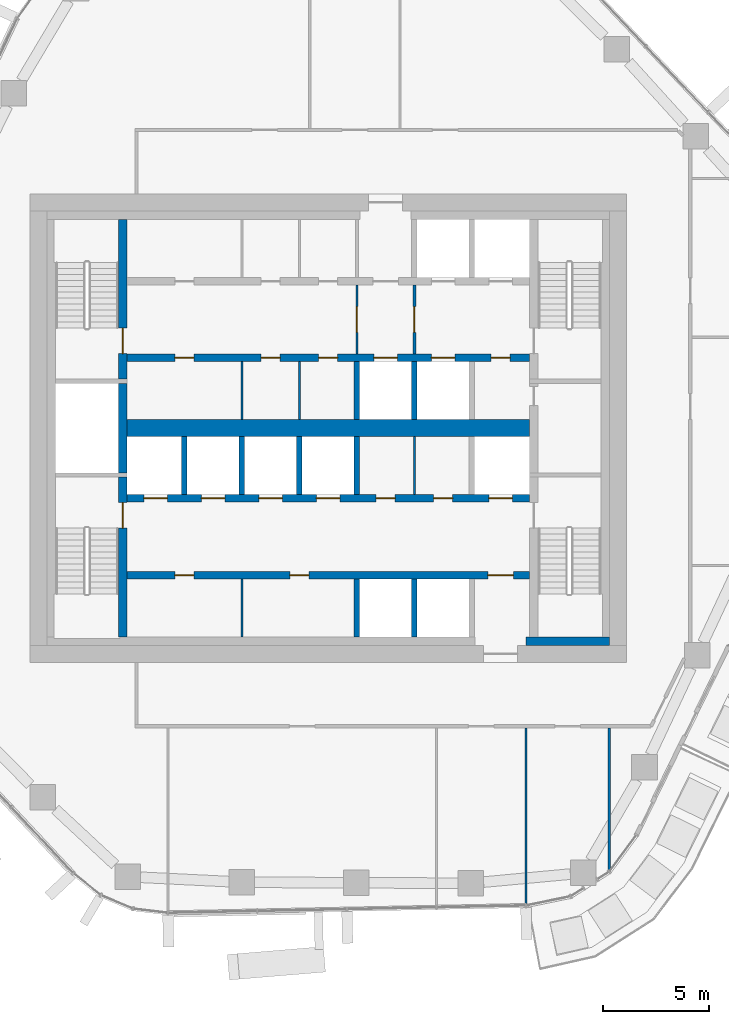
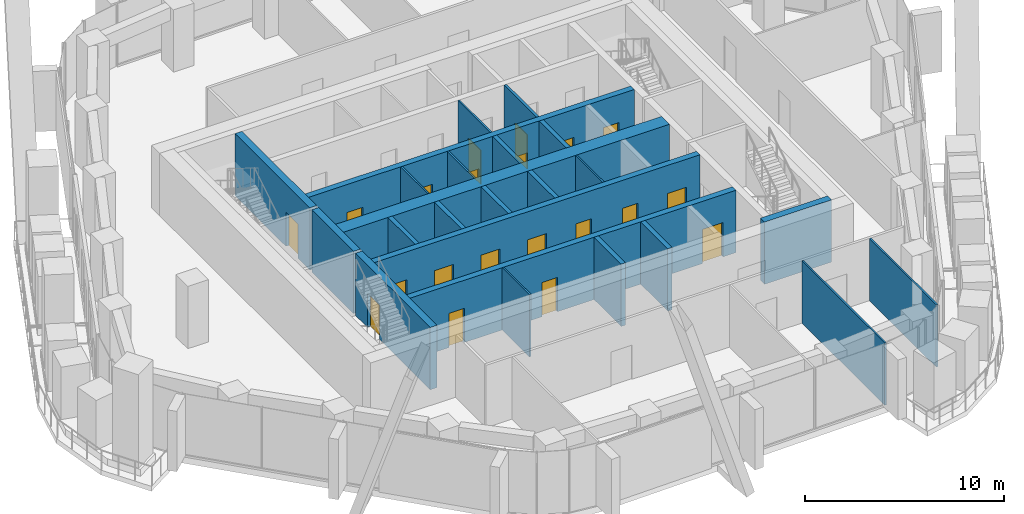
# One storey, part 11 of 18: 24 walls, 20 doors, 20 openings.
"""IFC4 building model written with IfcOpenShell, lengths in metres."""

from ifc_helpers import new_model, si_unit, direction, frame, frame_2d, origin, place, context, subcontext, project, spatial, rectangle, extrude, material, layer, layer_set, type_object, element, fill, save


model = new_model("IFC4")

# Units and contexts
model_context = context("Model", 3, precision=1e-05, world=origin(), true_north=direction((0.0, 1.0)))
body_context = subcontext(model_context, "Body", "Model", "MODEL_VIEW")
ifc_project = project(units=[si_unit("LENGTHUNIT", "METRE"), si_unit("AREAUNIT", "SQUARE_METRE"), si_unit("VOLUMEUNIT", "CUBIC_METRE"), si_unit("PLANEANGLEUNIT", "RADIAN"), si_unit("MASSUNIT", "GRAM", prefix="KILO")], contexts=[model_context])

# Site, building, storey
site_placement = place(None, origin())
site = spatial("IfcSite", under=ifc_project, at=site_placement, CompositionType="ELEMENT")
building_placement = place(site_placement, origin())
building = spatial("IfcBuilding", under=site, at=building_placement, Name="Dongbaek Canopy Tower", CompositionType="ELEMENT")
storey_placement = place(building_placement, frame((0.0, 0.0, 167.0)))
storey = spatial("IfcBuildingStorey", under=building, at=storey_placement, Name="L36", CompositionType="ELEMENT", Elevation=167.0)

# Wall
ifc_material_1 = material(Name="Concrete C60/75", Category="concrete")
ifc_layer_1 = layer(ifc_material_1, 0.800048828125)
ifc_layer_set_1 = layer_set([ifc_layer_1], Name="Core central wall 800 Concrete C60/75")
wall_type_1 = type_object("IfcWallType", Name="Core central wall 800 Concrete C60/75", PredefinedType="SHEAR", material=ifc_layer_set_1)
wall_1_placement = place(storey_placement, frame((-9.449951171875, 0.0, 0.0), z_axis=(0.0, 0.0, 1.0), x_axis=(1.0, 0.0, 0.0)))
element("IfcWall", 1, at=wall_1_placement, inside=storey, type_object=wall_type_1, Name="Core wall", PredefinedType="SHEAR", context=body_context, shape_type="SweptSolid", body=[
    extrude(rectangle(XDim=18.89990234375, YDim=0.800048828125, at=frame_2d((9.449951171875, 0.0))), origin(), (0.0, 0.0, 1.0), 3.820068359375),
])

# Wall, openings, doors
ifc_material_2 = material(Name="Concrete C60/75", Category="concrete")
ifc_layer_2 = layer(ifc_material_2, 0.35009765625)
ifc_layer_set_2 = layer_set([ifc_layer_2], Name="Core lobby wall 350 Concrete C60/75")
wall_type_2 = type_object("IfcWallType", Name="Core lobby wall 350 Concrete C60/75", PredefinedType="SHEAR", material=ifc_layer_set_2)
wall_2_placement = place(storey_placement, frame((9.449951171875, 3.300048828125, 0.0), z_axis=(0.0, 0.0, 1.0), x_axis=(-1.0, 0.0, 0.0)))
wall_2 = element("IfcWall", 2, at=wall_2_placement, inside=storey, type_object=wall_type_2, Name="Core wall", PredefinedType="SHEAR", context=body_context, shape_type="SweptSolid", body=[
    extrude(rectangle(XDim=18.89990234375, YDim=0.35009765625, at=frame_2d((9.449951171875, 0.0))), origin(), (0.0, 0.0, 1.0), 3.820068359375),
])
opening_1_placement = place(wall_2_placement, frame((6.199951171875, 0.0, 0.0)))
opening_1 = element("IfcOpeningElement", 3, at=opening_1_placement, cuts=wall_2, Name="Opening L36-D015", PredefinedType="OPENING", context=body_context, shape_type="SweptSolid", body=[
    extrude(rectangle(XDim=1.10009765625, YDim=2.10009765625, at=frame_2d((0.550048828125, 1.050048828125))), frame((0.0, 0.18505859375, 0.0), z_axis=(0.0, -1.0, 0.0), x_axis=(1.0, 0.0, 0.0)), (0.0, 0.0, 1.0), 0.3701171875),
])
opening_2_placement = place(wall_2_placement, frame((3.5, 0.0, 0.0)))
opening_2 = element("IfcOpeningElement", 4, at=opening_2_placement, cuts=wall_2, Name="Opening L36-D016", PredefinedType="OPENING", context=body_context, shape_type="SweptSolid", body=[
    extrude(rectangle(XDim=1.10009765625, YDim=2.10009765625, at=frame_2d((0.550048828125, 1.050048828125))), frame((0.0, 0.18505859375, 0.0), z_axis=(0.0, -1.0, 0.0), x_axis=(1.0, 0.0, 0.0)), (0.0, 0.0, 1.0), 0.3701171875),
])
opening_3_placement = place(wall_2_placement, frame((0.89990234375, 0.0, 0.0)))
opening_3 = element("IfcOpeningElement", 5, at=opening_3_placement, cuts=wall_2, Name="Opening L36-D017", PredefinedType="OPENING", context=body_context, shape_type="SweptSolid", body=[
    extrude(rectangle(XDim=0.89990234375, YDim=2.10009765625, at=frame_2d((0.449951171875, 1.050048828125))), frame((0.0, 0.18505859375, 0.0), z_axis=(0.0, -1.0, 0.0), x_axis=(1.0, 0.0, 0.0)), (0.0, 0.0, 1.0), 0.3701171875),
])
opening_4_placement = place(wall_2_placement, frame((15.75, 0.0, 0.0)))
opening_4 = element("IfcOpeningElement", 6, at=opening_4_placement, cuts=wall_2, Name="Opening L36-D028", PredefinedType="OPENING", context=body_context, shape_type="SweptSolid", body=[
    extrude(rectangle(XDim=0.89990234375, YDim=2.10009765625, at=frame_2d((0.449951171875, 1.050048828125))), frame((0.0, 0.18505859375, 0.0), z_axis=(0.0, -1.0, 0.0), x_axis=(1.0, 0.0, 0.0)), (0.0, 0.0, 1.0), 0.3701171875),
])
opening_5_placement = place(wall_2_placement, frame((11.699951171875, 0.0, 0.0)))
opening_5 = element("IfcOpeningElement", 7, at=opening_5_placement, cuts=wall_2, Name="Opening L36-D029", PredefinedType="OPENING", context=body_context, shape_type="SweptSolid", body=[
    extrude(rectangle(XDim=0.89990234375, YDim=2.10009765625, at=frame_2d((0.449951171875, 1.050048828125))), frame((0.0, 0.18505859375, 0.0), z_axis=(0.0, -1.0, 0.0), x_axis=(1.0, 0.0, 0.0)), (0.0, 0.0, 1.0), 0.3701171875),
])
opening_6_placement = place(wall_2_placement, frame((9.0, 0.0, 0.0)))
opening_6 = element("IfcOpeningElement", 8, at=opening_6_placement, cuts=wall_2, Name="Opening L36-D030", PredefinedType="OPENING", context=body_context, shape_type="SweptSolid", body=[
    extrude(rectangle(XDim=0.89990234375, YDim=2.10009765625, at=frame_2d((0.449951171875, 1.050048828125))), frame((0.0, 0.18505859375, 0.0), z_axis=(0.0, -1.0, 0.0), x_axis=(1.0, 0.0, 0.0)), (0.0, 0.0, 1.0), 0.3701171875),
])
ifc_material_3 = material(Name="Steel", Category="steel")
door_type_1 = type_object("IfcDoorType", Name="Core room door 900 x 2100", OperationType="SINGLE_SWING_LEFT", PredefinedType="DOOR", material=ifc_material_3)
door_1_placement = place(opening_3_placement, origin())
door_1 = element("IfcDoor", 9, at=door_1_placement, inside=storey, type_object=door_type_1, Name="Door L36-D017", OperationType="SINGLE_SWING_LEFT", OverallHeight=2.10009765625, OverallWidth=0.89990234375, PredefinedType="DOOR", context=body_context, shape_type="SweptSolid", body=[
    extrude(rectangle(XDim=0.89990234375, YDim=2.10009765625, at=frame_2d((0.449951171875, 1.050048828125))), frame((0.0, 0.02490234375, 0.0), z_axis=(0.0, -1.0, 0.0), x_axis=(1.0, 0.0, 0.0)), (0.0, 0.0, 1.0), 0.050048828125),
])
fill(opening_3, door_1)
door_2_placement = place(opening_4_placement, origin())
door_2 = element("IfcDoor", 10, at=door_2_placement, inside=storey, type_object=door_type_1, Name="Door L36-D028", OperationType="SINGLE_SWING_LEFT", OverallHeight=2.10009765625, OverallWidth=0.89990234375, PredefinedType="DOOR", context=body_context, shape_type="SweptSolid", body=[
    extrude(rectangle(XDim=0.89990234375, YDim=2.10009765625, at=frame_2d((0.449951171875, 1.050048828125))), frame((0.0, 0.02490234375, 0.0), z_axis=(0.0, -1.0, 0.0), x_axis=(1.0, 0.0, 0.0)), (0.0, 0.0, 1.0), 0.050048828125),
])
fill(opening_4, door_2)
door_3_placement = place(opening_5_placement, origin())
door_3 = element("IfcDoor", 11, at=door_3_placement, inside=storey, type_object=door_type_1, Name="Door L36-D029", OperationType="SINGLE_SWING_RIGHT", OverallHeight=2.10009765625, OverallWidth=0.89990234375, PredefinedType="DOOR", context=body_context, shape_type="SweptSolid", body=[
    extrude(rectangle(XDim=0.89990234375, YDim=2.10009765625, at=frame_2d((0.449951171875, 1.050048828125))), frame((0.0, 0.02490234375, 0.0), z_axis=(0.0, -1.0, 0.0), x_axis=(1.0, 0.0, 0.0)), (0.0, 0.0, 1.0), 0.050048828125),
])
fill(opening_5, door_3)
door_4_placement = place(opening_6_placement, origin())
door_4 = element("IfcDoor", 12, at=door_4_placement, inside=storey, type_object=door_type_1, Name="Door L36-D030", OperationType="SINGLE_SWING_LEFT", OverallHeight=2.10009765625, OverallWidth=0.89990234375, PredefinedType="DOOR", context=body_context, shape_type="SweptSolid", body=[
    extrude(rectangle(XDim=0.89990234375, YDim=2.10009765625, at=frame_2d((0.449951171875, 1.050048828125))), frame((0.0, 0.02490234375, 0.0), z_axis=(0.0, -1.0, 0.0), x_axis=(1.0, 0.0, 0.0)), (0.0, 0.0, 1.0), 0.050048828125),
])
fill(opening_6, door_4)
ifc_material_4 = material(Name="Stainless steel", Category="steel")
door_type_2 = type_object("IfcDoorType", Name="Lift landing door 1100 x 2100", OperationType="DOUBLE_DOOR_SLIDING", PredefinedType="DOOR", material=ifc_material_4)
door_5_placement = place(opening_1_placement, origin())
door_5 = element("IfcDoor", 13, at=door_5_placement, inside=storey, type_object=door_type_2, Name="Landing door SV1", OperationType="DOUBLE_DOOR_SLIDING", OverallHeight=2.10009765625, OverallWidth=1.10009765625, PredefinedType="DOOR", context=body_context, shape_type="SweptSolid", body=[
    extrude(rectangle(XDim=1.10009765625, YDim=2.10009765625, at=frame_2d((0.550048828125, 1.050048828125))), frame((0.0, 0.02490234375, 0.0), z_axis=(0.0, -1.0, 0.0), x_axis=(1.0, 0.0, 0.0)), (0.0, 0.0, 1.0), 0.050048828125),
])
fill(opening_1, door_5)
door_6_placement = place(opening_2_placement, origin())
door_6 = element("IfcDoor", 14, at=door_6_placement, inside=storey, type_object=door_type_2, Name="Landing door FF3", OperationType="DOUBLE_DOOR_SLIDING", OverallHeight=2.10009765625, OverallWidth=1.10009765625, PredefinedType="DOOR", context=body_context, shape_type="SweptSolid", body=[
    extrude(rectangle(XDim=1.10009765625, YDim=2.10009765625, at=frame_2d((0.550048828125, 1.050048828125))), frame((0.0, 0.02490234375, 0.0), z_axis=(0.0, -1.0, 0.0), x_axis=(1.0, 0.0, 0.0)), (0.0, 0.0, 1.0), 0.050048828125),
])
fill(opening_2, door_6)

wall_3_placement = place(storey_placement, frame((-9.449951171875, -3.300048828125, 0.0), z_axis=(0.0, 0.0, 1.0), x_axis=(1.0, 0.0, 0.0)))
wall_3 = element("IfcWall", 15, at=wall_3_placement, inside=storey, type_object=wall_type_2, Name="Core wall", PredefinedType="SHEAR", context=body_context, shape_type="SweptSolid", body=[
    extrude(rectangle(XDim=18.89990234375, YDim=0.35009765625, at=frame_2d((9.449951171875, 0.0))), origin(), (0.0, 0.0, 1.0), 3.820068359375),
])
opening_7_placement = place(wall_3_placement, frame((0.800048828125, 0.0, 0.0)))
opening_7 = element("IfcOpeningElement", 16, at=opening_7_placement, cuts=wall_3, Name="Opening L36-D018", PredefinedType="OPENING", context=body_context, shape_type="SweptSolid", body=[
    extrude(rectangle(XDim=1.10009765625, YDim=2.10009765625, at=frame_2d((0.550048828125, 1.050048828125))), frame((0.0, 0.18505859375, 0.0), z_axis=(0.0, -1.0, 0.0), x_axis=(1.0, 0.0, 0.0)), (0.0, 0.0, 1.0), 0.3701171875),
])
opening_8_placement = place(wall_3_placement, frame((3.5, 0.0, 0.0)))
opening_8 = element("IfcOpeningElement", 17, at=opening_8_placement, cuts=wall_3, Name="Opening L36-D019", PredefinedType="OPENING", context=body_context, shape_type="SweptSolid", body=[
    extrude(rectangle(XDim=1.10009765625, YDim=2.10009765625, at=frame_2d((0.550048828125, 1.050048828125))), frame((0.0, 0.18505859375, 0.0), z_axis=(0.0, -1.0, 0.0), x_axis=(1.0, 0.0, 0.0)), (0.0, 0.0, 1.0), 0.3701171875),
])
opening_9_placement = place(wall_3_placement, frame((6.199951171875, 0.0, 0.0)))
opening_9 = element("IfcOpeningElement", 18, at=opening_9_placement, cuts=wall_3, Name="Opening L36-D020", PredefinedType="OPENING", context=body_context, shape_type="SweptSolid", body=[
    extrude(rectangle(XDim=1.10009765625, YDim=2.10009765625, at=frame_2d((0.550048828125, 1.050048828125))), frame((0.0, 0.18505859375, 0.0), z_axis=(0.0, -1.0, 0.0), x_axis=(1.0, 0.0, 0.0)), (0.0, 0.0, 1.0), 0.3701171875),
])
opening_10_placement = place(wall_3_placement, frame((8.89990234375, 0.0, 0.0)))
opening_10 = element("IfcOpeningElement", 19, at=opening_10_placement, cuts=wall_3, Name="Opening L36-D021", PredefinedType="OPENING", context=body_context, shape_type="SweptSolid", body=[
    extrude(rectangle(XDim=1.10009765625, YDim=2.10009765625, at=frame_2d((0.550048828125, 1.050048828125))), frame((0.0, 0.18505859375, 0.0), z_axis=(0.0, -1.0, 0.0), x_axis=(1.0, 0.0, 0.0)), (0.0, 0.0, 1.0), 0.3701171875),
])
opening_11_placement = place(wall_3_placement, frame((17.0, 0.0, 0.0)))
opening_11 = element("IfcOpeningElement", 20, at=opening_11_placement, cuts=wall_3, Name="Opening L36-D022", PredefinedType="OPENING", context=body_context, shape_type="SweptSolid", body=[
    extrude(rectangle(XDim=1.10009765625, YDim=2.10009765625, at=frame_2d((0.550048828125, 1.050048828125))), frame((0.0, 0.18505859375, 0.0), z_axis=(0.0, -1.0, 0.0), x_axis=(1.0, 0.0, 0.0)), (0.0, 0.0, 1.0), 0.3701171875),
])
opening_12_placement = place(wall_3_placement, frame((11.699951171875, 0.0, 0.0)))
opening_12 = element("IfcOpeningElement", 21, at=opening_12_placement, cuts=wall_3, Name="Opening L36-D031", PredefinedType="OPENING", context=body_context, shape_type="SweptSolid", body=[
    extrude(rectangle(XDim=0.89990234375, YDim=2.10009765625, at=frame_2d((0.449951171875, 1.050048828125))), frame((0.0, 0.18505859375, 0.0), z_axis=(0.0, -1.0, 0.0), x_axis=(1.0, 0.0, 0.0)), (0.0, 0.0, 1.0), 0.3701171875),
])
opening_13_placement = place(wall_3_placement, frame((14.39990234375, 0.0, 0.0)))
opening_13 = element("IfcOpeningElement", 22, at=opening_13_placement, cuts=wall_3, Name="Opening L36-D032", PredefinedType="OPENING", context=body_context, shape_type="SweptSolid", body=[
    extrude(rectangle(XDim=0.89990234375, YDim=2.10009765625, at=frame_2d((0.449951171875, 1.050048828125))), frame((0.0, 0.18505859375, 0.0), z_axis=(0.0, -1.0, 0.0), x_axis=(1.0, 0.0, 0.0)), (0.0, 0.0, 1.0), 0.3701171875),
])
door_7_placement = place(opening_12_placement, origin())
door_7 = element("IfcDoor", 23, at=door_7_placement, inside=storey, type_object=door_type_1, Name="Door L36-D031", OperationType="SINGLE_SWING_RIGHT", OverallHeight=2.10009765625, OverallWidth=0.89990234375, PredefinedType="DOOR", context=body_context, shape_type="SweptSolid", body=[
    extrude(rectangle(XDim=0.89990234375, YDim=2.10009765625, at=frame_2d((0.449951171875, 1.050048828125))), frame((0.0, 0.02490234375, 0.0), z_axis=(0.0, -1.0, 0.0), x_axis=(1.0, 0.0, 0.0)), (0.0, 0.0, 1.0), 0.050048828125),
])
fill(opening_12, door_7)
door_8_placement = place(opening_13_placement, origin())
door_8 = element("IfcDoor", 24, at=door_8_placement, inside=storey, type_object=door_type_1, Name="Door L36-D032", OperationType="SINGLE_SWING_LEFT", OverallHeight=2.10009765625, OverallWidth=0.89990234375, PredefinedType="DOOR", context=body_context, shape_type="SweptSolid", body=[
    extrude(rectangle(XDim=0.89990234375, YDim=2.10009765625, at=frame_2d((0.449951171875, 1.050048828125))), frame((0.0, 0.02490234375, 0.0), z_axis=(0.0, -1.0, 0.0), x_axis=(1.0, 0.0, 0.0)), (0.0, 0.0, 1.0), 0.050048828125),
])
fill(opening_13, door_8)
door_9_placement = place(opening_7_placement, origin())
door_9 = element("IfcDoor", 25, at=door_9_placement, inside=storey, type_object=door_type_2, Name="Landing door MR1", OperationType="DOUBLE_DOOR_SLIDING", OverallHeight=2.10009765625, OverallWidth=1.10009765625, PredefinedType="DOOR", context=body_context, shape_type="SweptSolid", body=[
    extrude(rectangle(XDim=1.10009765625, YDim=2.10009765625, at=frame_2d((0.550048828125, 1.050048828125))), frame((0.0, 0.02490234375, 0.0), z_axis=(0.0, -1.0, 0.0), x_axis=(1.0, 0.0, 0.0)), (0.0, 0.0, 1.0), 0.050048828125),
])
fill(opening_7, door_9)
door_10_placement = place(opening_8_placement, origin())
door_10 = element("IfcDoor", 26, at=door_10_placement, inside=storey, type_object=door_type_2, Name="Landing door MR2", OperationType="DOUBLE_DOOR_SLIDING", OverallHeight=2.10009765625, OverallWidth=1.10009765625, PredefinedType="DOOR", context=body_context, shape_type="SweptSolid", body=[
    extrude(rectangle(XDim=1.10009765625, YDim=2.10009765625, at=frame_2d((0.550048828125, 1.050048828125))), frame((0.0, 0.02490234375, 0.0), z_axis=(0.0, -1.0, 0.0), x_axis=(1.0, 0.0, 0.0)), (0.0, 0.0, 1.0), 0.050048828125),
])
fill(opening_8, door_10)
door_11_placement = place(opening_9_placement, origin())
door_11 = element("IfcDoor", 27, at=door_11_placement, inside=storey, type_object=door_type_2, Name="Landing door MR3", OperationType="DOUBLE_DOOR_SLIDING", OverallHeight=2.10009765625, OverallWidth=1.10009765625, PredefinedType="DOOR", context=body_context, shape_type="SweptSolid", body=[
    extrude(rectangle(XDim=1.10009765625, YDim=2.10009765625, at=frame_2d((0.550048828125, 1.050048828125))), frame((0.0, 0.02490234375, 0.0), z_axis=(0.0, -1.0, 0.0), x_axis=(1.0, 0.0, 0.0)), (0.0, 0.0, 1.0), 0.050048828125),
])
fill(opening_9, door_11)
door_12_placement = place(opening_10_placement, origin())
door_12 = element("IfcDoor", 28, at=door_12_placement, inside=storey, type_object=door_type_2, Name="Landing door MR4", OperationType="DOUBLE_DOOR_SLIDING", OverallHeight=2.10009765625, OverallWidth=1.10009765625, PredefinedType="DOOR", context=body_context, shape_type="SweptSolid", body=[
    extrude(rectangle(XDim=1.10009765625, YDim=2.10009765625, at=frame_2d((0.550048828125, 1.050048828125))), frame((0.0, 0.02490234375, 0.0), z_axis=(0.0, -1.0, 0.0), x_axis=(1.0, 0.0, 0.0)), (0.0, 0.0, 1.0), 0.050048828125),
])
fill(opening_10, door_12)
door_13_placement = place(opening_11_placement, origin())
door_13 = element("IfcDoor", 29, at=door_13_placement, inside=storey, type_object=door_type_2, Name="Landing door SV2", OperationType="DOUBLE_DOOR_SLIDING", OverallHeight=2.10009765625, OverallWidth=1.10009765625, PredefinedType="DOOR", context=body_context, shape_type="SweptSolid", body=[
    extrude(rectangle(XDim=1.10009765625, YDim=2.10009765625, at=frame_2d((0.550048828125, 1.050048828125))), frame((0.0, 0.02490234375, 0.0), z_axis=(0.0, -1.0, 0.0), x_axis=(1.0, 0.0, 0.0)), (0.0, 0.0, 1.0), 0.050048828125),
])
fill(opening_11, door_13)

wall_4_placement = place(storey_placement, frame((9.449951171875, -6.89990234375, 0.0), z_axis=(0.0, 0.0, 1.0), x_axis=(-1.0, 0.0, 0.0)))
wall_4 = element("IfcWall", 30, at=wall_4_placement, inside=storey, type_object=wall_type_2, Name="Core wall", PredefinedType="SHEAR", context=body_context, shape_type="SweptSolid", body=[
    extrude(rectangle(XDim=18.89990234375, YDim=0.35009765625, at=frame_2d((9.449951171875, 0.0))), origin(), (0.0, 0.0, 1.0), 3.820068359375),
])
opening_14_placement = place(wall_4_placement, frame((0.75, 0.0, 0.0)))
opening_14 = element("IfcOpeningElement", 31, at=opening_14_placement, cuts=wall_4, Name="Opening L36-D024", PredefinedType="OPENING", context=body_context, shape_type="SweptSolid", body=[
    extrude(rectangle(XDim=1.199951171875, YDim=2.10009765625, at=frame_2d((0.60009765625, 1.050048828125))), frame((0.0, 0.18505859375, 0.0), z_axis=(0.0, -1.0, 0.0), x_axis=(1.0, 0.0, 0.0)), (0.0, 0.0, 1.0), 0.3701171875),
])
opening_15_placement = place(wall_4_placement, frame((15.75, 0.0, 0.0)))
opening_15 = element("IfcOpeningElement", 32, at=opening_15_placement, cuts=wall_4, Name="Opening L36-D033", PredefinedType="OPENING", context=body_context, shape_type="SweptSolid", body=[
    extrude(rectangle(XDim=0.89990234375, YDim=2.10009765625, at=frame_2d((0.449951171875, 1.050048828125))), frame((0.0, 0.18505859375, 0.0), z_axis=(0.0, -1.0, 0.0), x_axis=(1.0, 0.0, 0.0)), (0.0, 0.0, 1.0), 0.3701171875),
])
opening_16_placement = place(wall_4_placement, frame((10.35009765625, 0.0, 0.0)))
opening_16 = element("IfcOpeningElement", 33, at=opening_16_placement, cuts=wall_4, Name="Opening L36-D034", PredefinedType="OPENING", context=body_context, shape_type="SweptSolid", body=[
    extrude(rectangle(XDim=0.89990234375, YDim=2.10009765625, at=frame_2d((0.449951171875, 1.050048828125))), frame((0.0, 0.18505859375, 0.0), z_axis=(0.0, -1.0, 0.0), x_axis=(1.0, 0.0, 0.0)), (0.0, 0.0, 1.0), 0.3701171875),
])
door_14_placement = place(opening_15_placement, origin())
door_14 = element("IfcDoor", 34, at=door_14_placement, inside=storey, type_object=door_type_1, Name="Door L36-D033", OperationType="SINGLE_SWING_RIGHT", OverallHeight=2.10009765625, OverallWidth=0.89990234375, PredefinedType="DOOR", context=body_context, shape_type="SweptSolid", body=[
    extrude(rectangle(XDim=0.89990234375, YDim=2.10009765625, at=frame_2d((0.449951171875, 1.050048828125))), frame((0.0, 0.02490234375, 0.0), z_axis=(0.0, -1.0, 0.0), x_axis=(1.0, 0.0, 0.0)), (0.0, 0.0, 1.0), 0.050048828125),
])
fill(opening_15, door_14)
door_15_placement = place(opening_16_placement, origin())
door_15 = element("IfcDoor", 35, at=door_15_placement, inside=storey, type_object=door_type_1, Name="Door L36-D034", OperationType="SINGLE_SWING_LEFT", OverallHeight=2.10009765625, OverallWidth=0.89990234375, PredefinedType="DOOR", context=body_context, shape_type="SweptSolid", body=[
    extrude(rectangle(XDim=0.89990234375, YDim=2.10009765625, at=frame_2d((0.449951171875, 1.050048828125))), frame((0.0, 0.02490234375, 0.0), z_axis=(0.0, -1.0, 0.0), x_axis=(1.0, 0.0, 0.0)), (0.0, 0.0, 1.0), 0.050048828125),
])
fill(opening_16, door_15)
ifc_material_5 = material(Name="Steel", Category="steel")
door_type_3 = type_object("IfcDoorType", Name="Fire lobby door 1200 x 2100", OperationType="SINGLE_SWING_LEFT", PredefinedType="DOOR", material=ifc_material_5)
door_16_placement = place(opening_14_placement, origin())
door_16 = element("IfcDoor", 36, at=door_16_placement, inside=storey, type_object=door_type_3, Name="Door L36-D024", OperationType="SINGLE_SWING_LEFT", OverallHeight=2.10009765625, OverallWidth=1.199951171875, PredefinedType="DOOR", context=body_context, shape_type="SweptSolid", body=[
    extrude(rectangle(XDim=1.199951171875, YDim=2.10009765625, at=frame_2d((0.60009765625, 1.050048828125))), frame((0.0, 0.02490234375, 0.0), z_axis=(0.0, -1.0, 0.0), x_axis=(1.0, 0.0, 0.0)), (0.0, 0.0, 1.0), 0.050048828125),
])
fill(opening_14, door_16)

# Wall
ifc_material_6 = material(Name="Concrete C60/75", Category="concrete")
ifc_layer_3 = layer(ifc_material_6, 0.39990234375)
ifc_layer_set_3 = layer_set([ifc_layer_3], Name="Core wall lining 400 Concrete C60/75")
wall_type_3 = type_object("IfcWallType", Name="Core wall lining 400 Concrete C60/75", PredefinedType="SHEAR", material=ifc_layer_set_3)
wall_5_placement = place(storey_placement, frame((13.199951171875, -10.0, 0.0), z_axis=(0.0, 0.0, 1.0), x_axis=(-1.0, 0.0, 0.0)))
element("IfcWall", 37, at=wall_5_placement, inside=storey, type_object=wall_type_3, Name="Core wall lining", PredefinedType="SHEAR", context=body_context, shape_type="SweptSolid", body=[
    extrude(rectangle(XDim=3.89990234375, YDim=0.39990234375, at=frame_2d((1.949951171875, 0.0))), origin(), (0.0, 0.0, 1.0), 3.820068359375),
])

# Wall, opening, door
ifc_material_7 = material(Name="Gypsum board partition, steel stud, 2 x 15 mm fire board", Category="steel")
ifc_layer_4 = layer(ifc_material_7, 0.14990234375)
ifc_layer_set_4 = layer_set([ifc_layer_4], Name="Fire-rated partition 150 gypsum board")
wall_type_4 = type_object("IfcWallType", Name="Fire-rated partition 150 gypsum board", PredefinedType="PARTITIONING", material=ifc_layer_set_4)
wall_6_placement = place(storey_placement, frame((4.050048828125, 6.72509765625, 0.0), z_axis=(0.0, 0.0, 1.0), x_axis=(0.0, -1.0, 0.0)))
wall_6 = element("IfcWall", 38, at=wall_6_placement, inside=storey, type_object=wall_type_4, Name="Fire lobby partition", PredefinedType="PARTITIONING", context=body_context, shape_type="SweptSolid", body=[
    extrude(rectangle(XDim=3.25, YDim=0.14990234375, at=frame_2d((1.625, 0.0))), origin(), (0.0, 0.0, 1.0), 3.820068359375),
])
opening_17_placement = place(wall_6_placement, frame((1.02490234375, 0.0, 0.0)))
opening_17 = element("IfcOpeningElement", 39, at=opening_17_placement, cuts=wall_6, Name="Opening L36-D040", PredefinedType="OPENING", context=body_context, shape_type="SweptSolid", body=[
    extrude(rectangle(XDim=1.199951171875, YDim=2.10009765625, at=frame_2d((0.60009765625, 1.050048828125))), frame((0.0, 0.0849609375, 0.0), z_axis=(0.0, -1.0, 0.0), x_axis=(1.0, 0.0, 0.0)), (0.0, 0.0, 1.0), 0.169921875),
])
door_17_placement = place(opening_17_placement, origin())
door_17 = element("IfcDoor", 40, at=door_17_placement, inside=storey, type_object=door_type_3, Name="Door L36-D040", OperationType="SINGLE_SWING_RIGHT", OverallHeight=2.10009765625, OverallWidth=1.199951171875, PredefinedType="DOOR", context=body_context, shape_type="SweptSolid", body=[
    extrude(rectangle(XDim=1.199951171875, YDim=2.10009765625, at=frame_2d((0.60009765625, 1.050048828125))), frame((0.0, 0.02490234375, 0.0), z_axis=(0.0, -1.0, 0.0), x_axis=(1.0, 0.0, 0.0)), (0.0, 0.0, 1.0), 0.050048828125),
])
fill(opening_17, door_17)

# Walls
ifc_material_8 = material(Name="Concrete C40/50", Category="concrete")
ifc_layer_5 = layer(ifc_material_8, 0.25)
ifc_layer_set_5 = layer_set([ifc_layer_5], Name="Lift shaft wall 250 Concrete C40/50")
wall_type_5 = type_object("IfcWallType", Name="Lift shaft wall 250 Concrete C40/50", PredefinedType="SOLIDWALL", material=ifc_layer_set_5)
for number, where, z_axis, x_axis, name in (
    (41, (4.050048828125, -9.800048828125, 0.0), (0.0, 0.0, 1.0), (0.0, 1.0, 0.0), "Lift shaft wall"),
    (42, (4.050048828125, 0.39990234375, 0.0), (0.0, 0.0, 1.0), (0.0, 1.0, 0.0), "Lift shaft wall"),
    (43, (1.35009765625, -9.800048828125, 0.0), (0.0, 0.0, 1.0), (0.0, 1.0, 0.0), "Lift shaft wall"),
    (44, (1.35009765625, -3.125, 0.0), (0.0, 0.0, 1.0), (0.0, 1.0, 0.0), "Lift shaft wall"),
    (45, (1.35009765625, 0.39990234375, 0.0), (0.0, 0.0, 1.0), (0.0, 1.0, 0.0), "Lift shaft wall"),
    (46, (-1.35009765625, -3.125, 0.0), (0.0, 0.0, 1.0), (0.0, 1.0, 0.0), "Lift shaft wall"),
    (47, (-4.050048828125, -3.125, 0.0), (0.0, 0.0, 1.0), (0.0, 1.0, 0.0), "Lift shaft wall"),
    (48, (-6.75, -3.125, 0.0), (0.0, 0.0, 1.0), (0.0, 1.0, 0.0), "Lift shaft wall"),
):
    element("IfcWall", number, at=place(storey_placement, frame(where, z_axis=z_axis, x_axis=x_axis)), inside=storey, type_object=wall_type_5, Name=name, PredefinedType="SOLIDWALL", context=body_context, shape_type="SweptSolid", body=[
        extrude(rectangle(XDim=2.72509765625, YDim=0.25, at=frame_2d((1.362548828125, 0.0))), origin(), (0.0, 0.0, 1.0), 3.820068359375),
    ])
ifc_material_9 = material(Name="Gypsum board partition, steel stud, 2 x 12.5 mm board", Category="steel")
ifc_layer_6 = layer(ifc_material_9, 0.10009765625)
ifc_layer_set_6 = layer_set([ifc_layer_6], Name="Partition 100 gypsum board")
wall_type_6 = type_object("IfcWallType", Name="Partition 100 gypsum board", PredefinedType="PARTITIONING", material=ifc_layer_set_6)
wall_7_placement = place(storey_placement, frame((13.197998046875, -20.79638671875, 0.0), z_axis=(0.0, 0.0, 1.0), x_axis=(0.0, 1.0, 0.0)))
element("IfcWall", 49, at=wall_7_placement, inside=storey, type_object=wall_type_6, Name="Partition", PredefinedType="PARTITIONING", context=body_context, shape_type="SweptSolid", body=[
    extrude(rectangle(XDim=6.721435546875, YDim=0.10009765625, at=frame_2d((3.36083984375, 0.0))), origin(), (0.0, 0.0, 1.0), 3.820068359375),
])
wall_8_placement = place(storey_placement, frame((9.283935546875, -22.39794921875, 0.0), z_axis=(0.0, 0.0, 1.0), x_axis=(0.0, 1.0, 0.0)))
element("IfcWall", 50, at=wall_8_placement, inside=storey, type_object=wall_type_6, Name="Partition", PredefinedType="PARTITIONING", context=body_context, shape_type="SweptSolid", body=[
    extrude(rectangle(XDim=8.322998046875, YDim=0.10009765625, at=frame_2d((4.16162109375, 0.0))), origin(), (0.0, 0.0, 1.0), 3.820068359375),
])
wall_9_placement = place(storey_placement, frame((4.050048828125, -3.125, 0.0), z_axis=(0.0, 0.0, 1.0), x_axis=(0.0, 1.0, 0.0)))
element("IfcWall", 51, at=wall_9_placement, inside=storey, type_object=wall_type_6, Name="Core partition", PredefinedType="PARTITIONING", context=body_context, shape_type="SweptSolid", body=[
    extrude(rectangle(XDim=2.72509765625, YDim=0.10009765625, at=frame_2d((1.362548828125, 0.0))), origin(), (0.0, 0.0, 1.0), 3.820068359375),
])

# Wall, opening, door
wall_10_placement = place(storey_placement, frame((1.35009765625, 6.72509765625, 0.0), z_axis=(0.0, 0.0, 1.0), x_axis=(0.0, -1.0, 0.0)))
wall_10 = element("IfcWall", 52, at=wall_10_placement, inside=storey, type_object=wall_type_6, Name="Core partition", PredefinedType="PARTITIONING", context=body_context, shape_type="SweptSolid", body=[
    extrude(rectangle(XDim=3.25, YDim=0.10009765625, at=frame_2d((1.625, 0.0))), origin(), (0.0, 0.0, 1.0), 3.820068359375),
])
opening_18_placement = place(wall_10_placement, frame((1.02490234375, 0.0, 0.0)))
opening_18 = element("IfcOpeningElement", 53, at=opening_18_placement, cuts=wall_10, Name="Opening L36-D039", PredefinedType="OPENING", context=body_context, shape_type="SweptSolid", body=[
    extrude(rectangle(XDim=1.199951171875, YDim=2.10009765625, at=frame_2d((0.60009765625, 1.050048828125))), frame((0.0, 0.06005859375, 0.0), z_axis=(0.0, -1.0, 0.0), x_axis=(1.0, 0.0, 0.0)), (0.0, 0.0, 1.0), 0.1201171875),
])
door_18_placement = place(opening_18_placement, origin())
door_18 = element("IfcDoor", 54, at=door_18_placement, inside=storey, type_object=door_type_3, Name="Door L36-D039", OperationType="SINGLE_SWING_LEFT", OverallHeight=2.10009765625, OverallWidth=1.199951171875, PredefinedType="DOOR", context=body_context, shape_type="SweptSolid", body=[
    extrude(rectangle(XDim=1.199951171875, YDim=2.10009765625, at=frame_2d((0.60009765625, 1.050048828125))), frame((0.0, 0.02490234375, 0.0), z_axis=(0.0, -1.0, 0.0), x_axis=(1.0, 0.0, 0.0)), (0.0, 0.0, 1.0), 0.050048828125),
])
fill(opening_18, door_18)

# Walls
for number, where, z_axis, x_axis, name in (
    (55, (-1.35009765625, 0.39990234375, 0.0), (0.0, 0.0, 1.0), (0.0, 1.0, 0.0), "Core partition"),
    (56, (-4.050048828125, -9.800048828125, 0.0), (0.0, 0.0, 1.0), (0.0, 1.0, 0.0), "Core partition"),
    (57, (-4.050048828125, 0.39990234375, 0.0), (0.0, 0.0, 1.0), (0.0, 1.0, 0.0), "Core partition"),
):
    element("IfcWall", number, at=place(storey_placement, frame(where, z_axis=z_axis, x_axis=x_axis)), inside=storey, type_object=wall_type_6, Name=name, PredefinedType="PARTITIONING", context=body_context, shape_type="SweptSolid", body=[
        extrude(rectangle(XDim=2.72509765625, YDim=0.10009765625, at=frame_2d((1.362548828125, 0.0))), origin(), (0.0, 0.0, 1.0), 3.820068359375),
    ])

# Wall, opening, door
ifc_material_10 = material(Name="Concrete C60/75", Category="concrete")
ifc_layer_7 = layer(ifc_material_10, 0.39990234375)
ifc_layer_set_7 = layer_set([ifc_layer_7], Name="Stair wall 400 Concrete C60/75")
wall_type_7 = type_object("IfcWallType", Name="Stair wall 400 Concrete C60/75", PredefinedType="SHEAR", material=ifc_layer_set_7)
wall_11_placement = place(storey_placement, frame((-9.64990234375, -9.800048828125, 0.0), z_axis=(0.0, 0.0, 1.0), x_axis=(0.0, 1.0, 0.0)))
wall_11 = element("IfcWall", 58, at=wall_11_placement, inside=storey, type_object=wall_type_7, Name="Stair wall", PredefinedType="SHEAR", context=body_context, shape_type="SweptSolid", body=[
    extrude(rectangle(XDim=7.5, YDim=0.39990234375, at=frame_2d((3.75, 0.0))), origin(), (0.0, 0.0, 1.0), 3.820068359375),
])
opening_19_placement = place(wall_11_placement, frame((5.10009765625, 0.0, 0.0)))
opening_19 = element("IfcOpeningElement", 59, at=opening_19_placement, cuts=wall_11, Name="Opening L36-D038", PredefinedType="OPENING", context=body_context, shape_type="SweptSolid", body=[
    extrude(rectangle(XDim=1.199951171875, YDim=2.10009765625, at=frame_2d((0.60009765625, 1.050048828125))), frame((0.0, 0.2099609375, 0.0), z_axis=(0.0, -1.0, 0.0), x_axis=(1.0, 0.0, 0.0)), (0.0, 0.0, 1.0), 0.419921875),
])
ifc_material_11 = material(Name="Steel", Category="steel")
door_type_4 = type_object("IfcDoorType", Name="Stair door 1200 x 2100", OperationType="SINGLE_SWING_LEFT", PredefinedType="DOOR", material=ifc_material_11)
door_19_placement = place(opening_19_placement, origin())
door_19 = element("IfcDoor", 60, at=door_19_placement, inside=storey, type_object=door_type_4, Name="Stair D door", OperationType="SINGLE_SWING_LEFT", OverallHeight=2.10009765625, OverallWidth=1.199951171875, PredefinedType="DOOR", context=body_context, shape_type="SweptSolid", body=[
    extrude(rectangle(XDim=1.199951171875, YDim=2.10009765625, at=frame_2d((0.60009765625, 1.050048828125))), frame((0.0, 0.02490234375, 0.0), z_axis=(0.0, -1.0, 0.0), x_axis=(1.0, 0.0, 0.0)), (0.0, 0.0, 1.0), 0.050048828125),
])
fill(opening_19, door_19)

# Wall
wall_12_placement = place(storey_placement, frame((-9.64990234375, -2.10009765625, 0.0), z_axis=(0.0, 0.0, 1.0), x_axis=(0.0, 1.0, 0.0)))
element("IfcWall", 61, at=wall_12_placement, inside=storey, type_object=wall_type_7, Name="Stair wall", PredefinedType="SHEAR", context=body_context, shape_type="SweptSolid", body=[
    extrude(rectangle(XDim=4.2001953125, YDim=0.39990234375, at=frame_2d((2.10009765625, 0.0))), origin(), (0.0, 0.0, 1.0), 3.820068359375),
])

# Wall, opening, door
wall_13_placement = place(storey_placement, frame((-9.64990234375, 2.300048828125, 0.0), z_axis=(0.0, 0.0, 1.0), x_axis=(0.0, 1.0, 0.0)))
wall_13 = element("IfcWall", 62, at=wall_13_placement, inside=storey, type_object=wall_type_7, Name="Stair wall", PredefinedType="SHEAR", context=body_context, shape_type="SweptSolid", body=[
    extrude(rectangle(XDim=7.5, YDim=0.39990234375, at=frame_2d((3.75, 0.0))), origin(), (0.0, 0.0, 1.0), 3.820068359375),
])
opening_20_placement = place(wall_13_placement, frame((1.199951171875, 0.0, 0.0)))
opening_20 = element("IfcOpeningElement", 63, at=opening_20_placement, cuts=wall_13, Name="Opening L36-D036", PredefinedType="OPENING", context=body_context, shape_type="SweptSolid", body=[
    extrude(rectangle(XDim=1.199951171875, YDim=2.10009765625, at=frame_2d((0.60009765625, 1.050048828125))), frame((0.0, 0.2099609375, 0.0), z_axis=(0.0, -1.0, 0.0), x_axis=(1.0, 0.0, 0.0)), (0.0, 0.0, 1.0), 0.419921875),
])
door_20_placement = place(opening_20_placement, origin())
door_20 = element("IfcDoor", 64, at=door_20_placement, inside=storey, type_object=door_type_4, Name="Stair C door", OperationType="SINGLE_SWING_RIGHT", OverallHeight=2.10009765625, OverallWidth=1.199951171875, PredefinedType="DOOR", context=body_context, shape_type="SweptSolid", body=[
    extrude(rectangle(XDim=1.199951171875, YDim=2.10009765625, at=frame_2d((0.60009765625, 1.050048828125))), frame((0.0, 0.02490234375, 0.0), z_axis=(0.0, -1.0, 0.0), x_axis=(1.0, 0.0, 0.0)), (0.0, 0.0, 1.0), 0.050048828125),
])
fill(opening_20, door_20)

save(model, "model.ifc")
